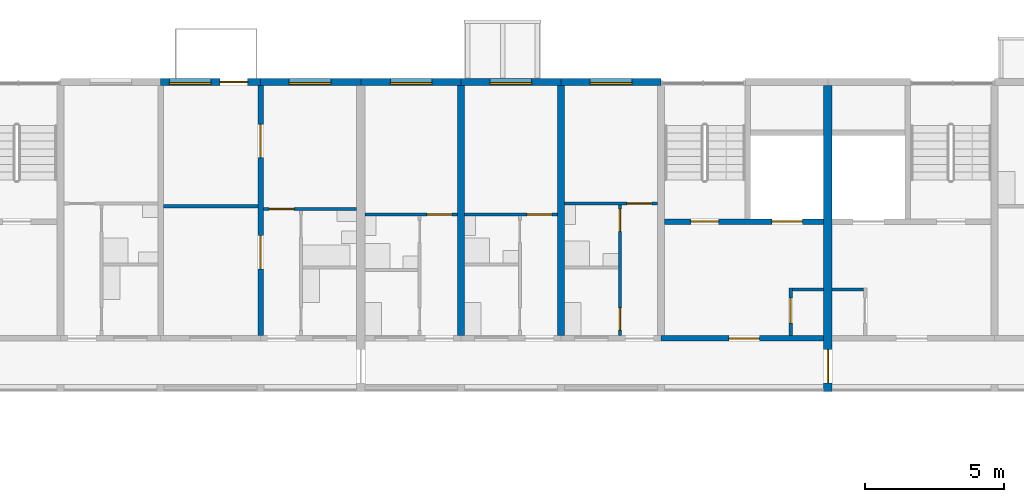
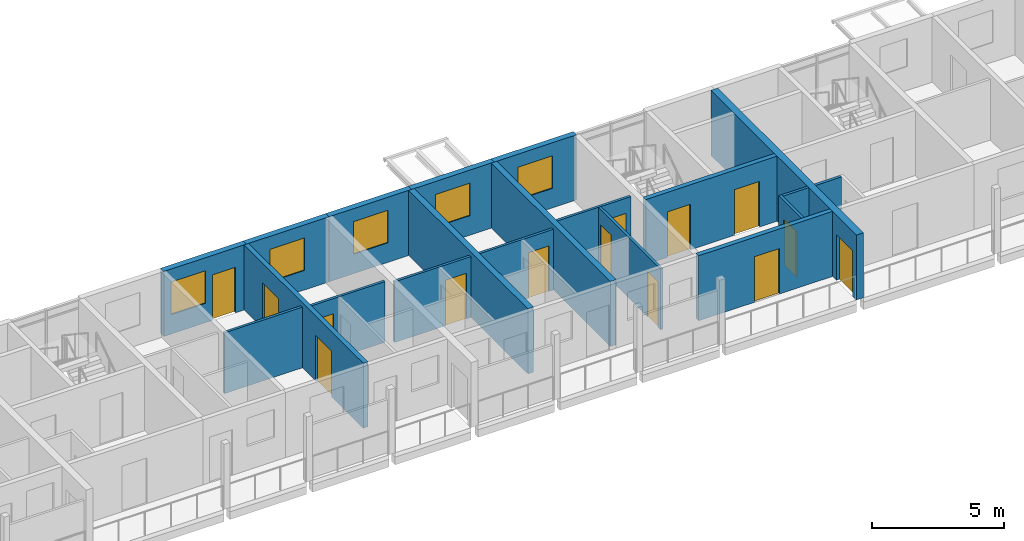
# One storey, part 71 of 115: 20 walls, 14 doors, 5 windows, 19 openings.
"""IFC4 building model written with IfcOpenShell, lengths in metres."""

from ifc_helpers import new_model, si_unit, direction, frame, frame_2d, origin, place, context, subcontext, project, spatial, rectangle, extrude, material, layer, layer_set, type_object, element, fill, save


model = new_model("IFC4")

# Units and contexts
model_context = context("Model", 3, precision=1e-05, world=origin(), true_north=direction((0.0, 1.0)))
body_context = subcontext(model_context, "Body", "Model", "MODEL_VIEW")
ifc_project = project(units=[si_unit("LENGTHUNIT", "METRE"), si_unit("AREAUNIT", "SQUARE_METRE"), si_unit("VOLUMEUNIT", "CUBIC_METRE"), si_unit("PLANEANGLEUNIT", "RADIAN"), si_unit("MASSUNIT", "GRAM", prefix="KILO")], contexts=[model_context])

# Site, building, storey
site_placement = place(None, origin())
site = spatial("IfcSite", under=ifc_project, at=site_placement, CompositionType="ELEMENT")
building_placement = place(site_placement, origin())
building = spatial("IfcBuilding", under=site, at=building_placement, Name="Ridgestep Commons", CompositionType="ELEMENT")
storey_placement = place(building_placement, frame((0.0, 0.0, 6.0)))
storey = spatial("IfcBuildingStorey", under=building, at=storey_placement, Name="L02", CompositionType="ELEMENT", Elevation=6.0)

# Wall, opening, door
ifc_material_1 = material(Name="Concrete C30/37", Category="concrete")
ifc_layer_1 = layer(ifc_material_1, 0.199951171875)
ifc_layer_set_1 = layer_set([ifc_layer_1], Name="Core south wall 200")
wall_type_1 = type_object("IfcWallType", Name="Core south wall 200", PredefinedType="SHEAR", material=ifc_layer_set_1)
wall_1_placement = place(storey_placement, frame((224.800048828125, 67.89990234375, 0.0), z_axis=(0.0, 0.0, 1.0), x_axis=(1.0, 0.0, 0.0)))
wall_1 = element("IfcWall", 1, at=wall_1_placement, inside=storey, type_object=wall_type_1, Name="Core south wall C5C L02", PredefinedType="SHEAR", context=body_context, shape_type="SweptSolid", body=[
    extrude(rectangle(XDim=5.849853515625, YDim=0.199951171875, at=frame_2d((2.9248046875, 0.0))), origin(), (0.0, 0.0, 1.0), 3.0),
])
opening_1_placement = place(wall_1_placement, frame((2.4375, 0.0, 0.0)))
opening_1 = element("IfcOpeningElement", 2, at=opening_1_placement, cuts=wall_1, Name="Opening C5C/02/1", PredefinedType="OPENING", context=body_context, shape_type="SweptSolid", body=[
    extrude(rectangle(XDim=1.10009765625, YDim=2.10009765625, at=frame_2d((0.550048828125, 1.050048828125))), frame((0.0, 0.10986328125, 0.0), z_axis=(0.0, -1.0, 0.0), x_axis=(1.0, 0.0, 0.0)), (0.0, 0.0, 1.0), 0.219970703125),
])
ifc_material_2 = material(Name="Steel fire door", Category="steel")
door_type_1 = type_object("IfcDoorType", Name="Lobby door 1100 x 2100 FD60", OperationType="NOTDEFINED", PredefinedType="DOOR", material=ifc_material_2)
door_1_placement = place(opening_1_placement, origin())
door_1 = element("IfcDoor", 3, at=door_1_placement, inside=storey, type_object=door_type_1, Name="Lobby door C5C/02/1", OperationType="SINGLE_SWING_LEFT", OverallHeight=2.10009765625, OverallWidth=1.10009765625, PredefinedType="DOOR", context=body_context, shape_type="SweptSolid", body=[
    extrude(rectangle(XDim=1.10009765625, YDim=2.10009765625, at=frame_2d((0.550048828125, 1.050048828125))), frame((0.0, 0.02490234375, 0.0), z_axis=(0.0, -1.0, 0.0), x_axis=(1.0, 0.0, 0.0)), (0.0, 0.0, 1.0), 0.050048828125),
])
fill(opening_1, door_1)

ifc_material_3 = material(Name="Concrete C30/37", Category="concrete")
ifc_layer_2 = layer(ifc_material_3, 0.1201171875)
ifc_layer_set_2 = layer_set([ifc_layer_2], Name="Core wall 120")
wall_type_2 = type_object("IfcWallType", Name="Core wall 120", PredefinedType="SHEAR", material=ifc_layer_set_2)
wall_2_placement = place(storey_placement, frame((229.4599609375, 68.0, 0.0), z_axis=(0.0, 0.0, 1.0), x_axis=(0.0, 1.0, 0.0)))
wall_2 = element("IfcWall", 4, at=wall_2_placement, inside=storey, type_object=wall_type_2, Name="Core riser w wall C5C L02", PredefinedType="SHEAR", context=body_context, shape_type="SweptSolid", body=[
    extrude(rectangle(XDim=1.719970703125, YDim=0.1201171875, at=frame_2d((0.85986328125, 0.0))), origin(), (0.0, 0.0, 1.0), 3.0),
])
opening_2_placement = place(wall_2_placement, frame((0.449951171875, 0.0, 0.0)))
opening_2 = element("IfcOpeningElement", 5, at=opening_2_placement, cuts=wall_2, Name="Opening C5C/02/4", PredefinedType="OPENING", context=body_context, shape_type="SweptSolid", body=[
    extrude(rectangle(XDim=0.89990234375, YDim=2.10009765625, at=frame_2d((0.449951171875, 1.050048828125))), frame((0.0, 0.070068359375, 0.0), z_axis=(0.0, -1.0, 0.0), x_axis=(1.0, 0.0, 0.0)), (0.0, 0.0, 1.0), 0.14013671875),
])
ifc_material_4 = material(Name="Steel fire door", Category="steel")
door_type_2 = type_object("IfcDoorType", Name="Riser door 900 x 2100 FD60", OperationType="NOTDEFINED", PredefinedType="DOOR", material=ifc_material_4)
door_2_placement = place(opening_2_placement, origin())
door_2 = element("IfcDoor", 6, at=door_2_placement, inside=storey, type_object=door_type_2, Name="Riser door C5C/02/4", OperationType="SINGLE_SWING_LEFT", OverallHeight=2.10009765625, OverallWidth=0.89990234375, PredefinedType="DOOR", context=body_context, shape_type="SweptSolid", body=[
    extrude(rectangle(XDim=0.89990234375, YDim=2.10009765625, at=frame_2d((0.449951171875, 1.050048828125))), frame((0.0, 0.02490234375, 0.0), z_axis=(0.0, -1.0, 0.0), x_axis=(1.0, 0.0, 0.0)), (0.0, 0.0, 1.0), 0.050048828125),
])
fill(opening_2, door_2)

# Walls
wall_3_placement = place(storey_placement, frame((229.52001953125, 69.659912109375, 0.0), z_axis=(0.0, 0.0, 1.0), x_axis=(1.0, 0.0, 0.0)))
element("IfcWall", 7, at=wall_3_placement, inside=storey, type_object=wall_type_2, Name="Core riser n wall C5C L02", PredefinedType="SHEAR", context=body_context, shape_type="SweptSolid", body=[
    extrude(rectangle(XDim=1.1298828125, YDim=0.1201171875, at=frame_2d((0.56494140625, 0.0))), origin(), (0.0, 0.0, 1.0), 3.0),
])
wall_4_placement = place(storey_placement, frame((230.949951171875, 69.659912109375, 0.0), z_axis=(0.0, 0.0, 1.0), x_axis=(1.0, 0.0, 0.0)))
element("IfcWall", 8, at=wall_4_placement, inside=storey, type_object=wall_type_2, Name="Core riser n wall C6C L02", PredefinedType="SHEAR", context=body_context, shape_type="SweptSolid", body=[
    extrude(rectangle(XDim=1.130126953125, YDim=0.1201171875, at=frame_2d((0.56494140625, 0.0))), origin(), (0.0, 0.0, 1.0), 3.0),
])

# Wall, openings, doors
ifc_material_5 = material(Name="Concrete C30/37", Category="concrete")
ifc_layer_3 = layer(ifc_material_5, 0.199951171875)
ifc_layer_set_3 = layer_set([ifc_layer_3], Name="Core wall 200")
wall_type_3 = type_object("IfcWallType", Name="Core wall 200", PredefinedType="SHEAR", material=ifc_layer_set_3)
wall_5_placement = place(storey_placement, frame((224.925048828125, 72.10009765625, 0.0), z_axis=(0.0, 0.0, 1.0), x_axis=(1.0, 0.0, 0.0)))
wall_5 = element("IfcWall", 9, at=wall_5_placement, inside=storey, type_object=wall_type_3, Name="Core lobby wall C5C L02", PredefinedType="SHEAR", context=body_context, shape_type="SweptSolid", body=[
    extrude(rectangle(XDim=5.724853515625, YDim=0.199951171875, at=frame_2d((2.8623046875, 0.0))), origin(), (0.0, 0.0, 1.0), 3.0),
])
opening_3_placement = place(wall_5_placement, frame((0.949951171875, 0.0, 0.0)))
opening_3 = element("IfcOpeningElement", 10, at=opening_3_placement, cuts=wall_5, Name="Opening C5C/02/2", PredefinedType="OPENING", context=body_context, shape_type="SweptSolid", body=[
    extrude(rectangle(XDim=1.0, YDim=2.10009765625, at=frame_2d((0.5, 1.050048828125))), frame((0.0, 0.10986328125, 0.0), z_axis=(0.0, -1.0, 0.0), x_axis=(1.0, 0.0, 0.0)), (0.0, 0.0, 1.0), 0.219970703125),
])
opening_4_placement = place(wall_5_placement, frame((3.862548828125, 0.0, 0.0)))
opening_4 = element("IfcOpeningElement", 11, at=opening_4_placement, cuts=wall_5, Name="Opening C5C/02/3", PredefinedType="OPENING", context=body_context, shape_type="SweptSolid", body=[
    extrude(rectangle(XDim=1.10009765625, YDim=2.10009765625, at=frame_2d((0.550048828125, 1.050048828125))), frame((0.0, 0.10986328125, 0.0), z_axis=(0.0, -1.0, 0.0), x_axis=(1.0, 0.0, 0.0)), (0.0, 0.0, 1.0), 0.219970703125),
])
ifc_material_6 = material(Name="Stainless steel", Category="steel")
door_type_3 = type_object("IfcDoorType", Name="Lift landing door 1100 x 2100 FD60", OperationType="DOUBLE_DOOR_SLIDING", PredefinedType="DOOR", material=ifc_material_6)
door_3_placement = place(opening_4_placement, origin())
door_3 = element("IfcDoor", 12, at=door_3_placement, inside=storey, type_object=door_type_3, Name="Landing door LD C5C L02", OperationType="DOUBLE_DOOR_SLIDING", OverallHeight=2.10009765625, OverallWidth=1.10009765625, PredefinedType="DOOR", context=body_context, shape_type="SweptSolid", body=[
    extrude(rectangle(XDim=1.10009765625, YDim=2.10009765625, at=frame_2d((0.550048828125, 1.050048828125))), frame((0.0, 0.02490234375, 0.0), z_axis=(0.0, -1.0, 0.0), x_axis=(1.0, 0.0, 0.0)), (0.0, 0.0, 1.0), 0.050048828125),
])
fill(opening_4, door_3)
ifc_material_7 = material(Name="Steel fire door", Category="steel")
door_type_4 = type_object("IfcDoorType", Name="Stair door 1000 x 2100 FD60", OperationType="NOTDEFINED", PredefinedType="DOOR", material=ifc_material_7)
door_4_placement = place(opening_3_placement, origin())
door_4 = element("IfcDoor", 13, at=door_4_placement, inside=storey, type_object=door_type_4, Name="Stair door C5C/02/2", OperationType="SINGLE_SWING_RIGHT", OverallHeight=2.10009765625, OverallWidth=1.0, PredefinedType="DOOR", context=body_context, shape_type="SweptSolid", body=[
    extrude(rectangle(XDim=1.0, YDim=2.10009765625, at=frame_2d((0.5, 1.050048828125))), frame((0.0, 0.02490234375, 0.0), z_axis=(0.0, -1.0, 0.0), x_axis=(1.0, 0.0, 0.0)), (0.0, 0.0, 1.0), 0.050048828125),
])
fill(opening_3, door_4)

ifc_material_8 = material(Name="Precast concrete C40/50", Category="concrete")
ifc_layer_4 = layer(ifc_material_8, 0.199951171875)
ifc_layer_set_4 = layer_set([ifc_layer_4], Name="Cross wall 200")
wall_type_4 = type_object("IfcWallType", Name="Cross wall 200", PredefinedType="SHEAR", material=ifc_layer_set_4)
wall_6_placement = place(storey_placement, frame((210.39990234375, 68.0, 0.0), z_axis=(0.0, 0.0, 1.0), x_axis=(0.0, 1.0, 0.0)))
wall_6 = element("IfcWall", 14, at=wall_6_placement, inside=storey, type_object=wall_type_4, Name="Cross wall C-02-2104", PredefinedType="SHEAR", context=body_context, shape_type="SweptSolid", body=[
    extrude(rectangle(XDim=9.0, YDim=0.199951171875, at=frame_2d((4.5, 0.0))), origin(), (0.0, 0.0, 1.0), 3.0),
])
opening_5_placement = place(wall_6_placement, frame((2.39990234375, 0.0, 0.0)))
opening_5 = element("IfcOpeningElement", 15, at=opening_5_placement, cuts=wall_6, Name="Opening C4-02a/5", PredefinedType="OPENING", context=body_context, shape_type="SweptSolid", body=[
    extrude(rectangle(XDim=1.199951171875, YDim=2.10009765625, at=frame_2d((0.60009765625, 1.050048828125))), frame((0.0, 0.10986328125, 0.0), z_axis=(0.0, -1.0, 0.0), x_axis=(1.0, 0.0, 0.0)), (0.0, 0.0, 1.0), 0.219970703125),
])
opening_6_placement = place(wall_6_placement, frame((6.39990234375, 0.0, 0.0)))
opening_6 = element("IfcOpeningElement", 16, at=opening_6_placement, cuts=wall_6, Name="Opening C4-02a/6", PredefinedType="OPENING", context=body_context, shape_type="SweptSolid", body=[
    extrude(rectangle(XDim=1.199951171875, YDim=2.10009765625, at=frame_2d((0.60009765625, 1.050048828125))), frame((0.0, 0.10986328125, 0.0), z_axis=(0.0, -1.0, 0.0), x_axis=(1.0, 0.0, 0.0)), (0.0, 0.0, 1.0), 0.219970703125),
])
ifc_material_9 = material(Name="Timber door leaf", Category="wood")
door_type_5 = type_object("IfcDoorType", Name="Double door 1200 x 2100", OperationType="DOUBLE_DOOR_SINGLE_SWING", PredefinedType="DOOR", material=ifc_material_9)
door_5_placement = place(opening_5_placement, origin())
door_5 = element("IfcDoor", 17, at=door_5_placement, inside=storey, type_object=door_type_5, Name="Double door C4-02a/5", OperationType="DOUBLE_DOOR_SINGLE_SWING", OverallHeight=2.10009765625, OverallWidth=1.199951171875, PredefinedType="DOOR", context=body_context, shape_type="SweptSolid", body=[
    extrude(rectangle(XDim=1.199951171875, YDim=2.10009765625, at=frame_2d((0.60009765625, 1.050048828125))), frame((0.0, 0.02490234375, 0.0), z_axis=(0.0, -1.0, 0.0), x_axis=(1.0, 0.0, 0.0)), (0.0, 0.0, 1.0), 0.050048828125),
])
fill(opening_5, door_5)
door_6_placement = place(opening_6_placement, origin())
door_6 = element("IfcDoor", 18, at=door_6_placement, inside=storey, type_object=door_type_5, Name="Double door C4-02a/6", OperationType="DOUBLE_DOOR_SINGLE_SWING", OverallHeight=2.10009765625, OverallWidth=1.199951171875, PredefinedType="DOOR", context=body_context, shape_type="SweptSolid", body=[
    extrude(rectangle(XDim=1.199951171875, YDim=2.10009765625, at=frame_2d((0.60009765625, 1.050048828125))), frame((0.0, 0.02490234375, 0.0), z_axis=(0.0, -1.0, 0.0), x_axis=(1.0, 0.0, 0.0)), (0.0, 0.0, 1.0), 0.050048828125),
])
fill(opening_6, door_6)

# Walls
ifc_material_10 = material(Name="Precast concrete C40/50", Category="concrete")
ifc_layer_5 = layer(ifc_material_10, 0.25)
ifc_layer_set_5 = layer_set([ifc_layer_5], Name="Cross wall 250")
wall_type_5 = type_object("IfcWallType", Name="Cross wall 250", PredefinedType="SHEAR", material=ifc_layer_set_5)
for number, where, z_axis, x_axis, name in (
    (19, (217.60009765625, 68.0, 0.0), (0.0, 0.0, 1.0), (0.0, 1.0, 0.0), "Cross wall C-02-2176"),
    (20, (221.199951171875, 68.0, 0.0), (0.0, 0.0, 1.0), (0.0, 1.0, 0.0), "Cross wall C-02-2212"),
):
    element("IfcWall", number, at=place(storey_placement, frame(where, z_axis=z_axis, x_axis=x_axis)), inside=storey, type_object=wall_type_5, Name=name, PredefinedType="SHEAR", context=body_context, shape_type="SweptSolid", body=[
        extrude(rectangle(XDim=9.0, YDim=0.25, at=frame_2d((4.5, 0.0))), origin(), (0.0, 0.0, 1.0), 3.0),
    ])

# Wall, opening, door
ifc_material_11 = material(Name="Precast concrete C40/50", Category="concrete")
ifc_layer_6 = layer(ifc_material_11, 0.300048828125)
ifc_layer_set_6 = layer_set([ifc_layer_6], Name="Division wall 300")
wall_type_6 = type_object("IfcWallType", Name="Division wall 300", PredefinedType="SHEAR", material=ifc_layer_set_6)
wall_7_placement = place(storey_placement, frame((230.800048828125, 66.0, 0.0), z_axis=(0.0, 0.0, 1.0), x_axis=(0.0, 1.0, 0.0)))
wall_7 = element("IfcWall", 21, at=wall_7_placement, inside=storey, type_object=wall_type_6, Name="Cross wall C-02-2308", PredefinedType="SHEAR", context=body_context, shape_type="SweptSolid", body=[
    extrude(rectangle(XDim=11.0, YDim=0.300048828125, at=frame_2d((5.5, 0.0))), origin(), (0.0, 0.0, 1.0), 3.0),
])
opening_7_placement = place(wall_7_placement, frame((0.300048828125, 0.0, 0.0)))
opening_7 = element("IfcOpeningElement", 22, at=opening_7_placement, cuts=wall_7, Name="Opening C/02/G2308", PredefinedType="OPENING", context=body_context, shape_type="SweptSolid", body=[
    extrude(rectangle(XDim=1.199951171875, YDim=2.10009765625, at=frame_2d((0.60009765625, 1.050048828125))), frame((0.0, 0.159912109375, 0.0), z_axis=(0.0, -1.0, 0.0), x_axis=(1.0, 0.0, 0.0)), (0.0, 0.0, 1.0), 0.320068359375),
])
ifc_material_12 = material(Name="Steel fire door", Category="steel")
door_type_6 = type_object("IfcDoorType", Name="Division fire door 1200 x 2100 EI 240", OperationType="DOUBLE_DOOR_SINGLE_SWING", PredefinedType="DOOR", material=ifc_material_12)
door_7_placement = place(opening_7_placement, origin())
door_7 = element("IfcDoor", 23, at=door_7_placement, inside=storey, type_object=door_type_6, Name="Division fire door C/02/G2308", OperationType="DOUBLE_DOOR_SINGLE_SWING", OverallHeight=2.10009765625, OverallWidth=1.199951171875, PredefinedType="DOOR", context=body_context, shape_type="SweptSolid", body=[
    extrude(rectangle(XDim=1.199951171875, YDim=2.10009765625, at=frame_2d((0.60009765625, 1.050048828125))), frame((0.0, 0.02490234375, 0.0), z_axis=(0.0, -1.0, 0.0), x_axis=(1.0, 0.0, 0.0)), (0.0, 0.0, 1.0), 0.050048828125),
])
fill(opening_7, door_7)

# Wall, openings, door, window
ifc_material_13 = material(Name="Precast concrete C40/50", Category="concrete")
ifc_layer_7 = layer(ifc_material_13, 0.25)
ifc_layer_set_7 = layer_set([ifc_layer_7], Name="North facade panel 250")
wall_type_7 = type_object("IfcWallType", Name="North facade panel 250", PredefinedType="SOLIDWALL", material=ifc_layer_set_7)
wall_8_placement = place(storey_placement, frame((206.800048828125, 77.125, 0.0), z_axis=(0.0, 0.0, 1.0), x_axis=(1.0, 0.0, 0.0)))
wall_8 = element("IfcWall", 24, at=wall_8_placement, inside=storey, type_object=wall_type_7, Name="North panel C4T2 L02", PredefinedType="SOLIDWALL", context=body_context, shape_type="SweptSolid", body=[
    extrude(rectangle(XDim=3.599853515625, YDim=0.25, at=frame_2d((1.7998046875, 0.0))), origin(), (0.0, 0.0, 1.0), 3.0),
])
opening_8_placement = place(wall_8_placement, frame((0.314453125, 0.0, 0.89990234375)))
opening_8 = element("IfcOpeningElement", 25, at=opening_8_placement, cuts=wall_8, Name="Opening W16", PredefinedType="OPENING", context=body_context, shape_type="SweptSolid", body=[
    extrude(rectangle(XDim=1.5, YDim=1.5, at=frame_2d((0.75, 0.75))), frame((0.0, 0.135009765625, 0.0), z_axis=(0.0, -1.0, 0.0), x_axis=(1.0, 0.0, 0.0)), (0.0, 0.0, 1.0), 0.27001953125),
])
opening_9_placement = place(wall_8_placement, frame((2.12890625, 0.0, 0.0)))
opening_9 = element("IfcOpeningElement", 26, at=opening_9_placement, cuts=wall_8, Name="Opening C4-02a/7", PredefinedType="OPENING", context=body_context, shape_type="SweptSolid", body=[
    extrude(rectangle(XDim=1.0, YDim=2.10009765625, at=frame_2d((0.5, 1.050048828125))), frame((0.0, 0.135009765625, 0.0), z_axis=(0.0, -1.0, 0.0), x_axis=(1.0, 0.0, 0.0)), (0.0, 0.0, 1.0), 0.27001953125),
])
ifc_material_14 = material(Name="Aluminium and glass", Category="aluminium")
door_type_7 = type_object("IfcDoorType", Name="Balcony door 1000 x 2100", OperationType="NOTDEFINED", PredefinedType="DOOR", material=ifc_material_14)
door_8_placement = place(opening_9_placement, origin())
door_8 = element("IfcDoor", 27, at=door_8_placement, inside=storey, type_object=door_type_7, Name="Balcony door C4-02a/7", OperationType="SINGLE_SWING_LEFT", OverallHeight=2.10009765625, OverallWidth=1.0, PredefinedType="DOOR", context=body_context, shape_type="SweptSolid", body=[
    extrude(rectangle(XDim=1.0, YDim=2.10009765625, at=frame_2d((0.5, 1.050048828125))), frame((0.0, 0.02490234375, 0.0), z_axis=(0.0, -1.0, 0.0), x_axis=(1.0, 0.0, 0.0)), (0.0, 0.0, 1.0), 0.050048828125),
])
fill(opening_9, door_8)
ifc_material_15 = material(Name="Aluminium 6063-T6 and glass", Category="aluminium")
window_type = type_object("IfcWindowType", Name="Flat window 1500 x 1500", PartitioningType="DOUBLE_PANEL_VERTICAL", PredefinedType="WINDOW", material=ifc_material_15)
window_1_placement = place(opening_8_placement, origin())
window_1 = element("IfcWindow", 28, at=window_1_placement, inside=storey, type_object=window_type, Name="Window C4-02a 2", OverallHeight=1.5, OverallWidth=1.5, PartitioningType="SINGLE_PANEL", PredefinedType="WINDOW", context=body_context, shape_type="SweptSolid", body=[
    extrude(rectangle(XDim=1.5, YDim=1.5, at=frame_2d((0.75, 0.75))), frame((0.0, -0.02490234375, 0.0), z_axis=(0.0, -1.0, 0.0), x_axis=(1.0, 0.0, 0.0)), (0.0, 0.0, 1.0), 0.06005859375),
])
fill(opening_8, window_1)

# Wall, opening, window
wall_9_placement = place(storey_placement, frame((210.39990234375, 77.125, 0.0), z_axis=(0.0, 0.0, 1.0), x_axis=(1.0, 0.0, 0.0)))
wall_9 = element("IfcWall", 29, at=wall_9_placement, inside=storey, type_object=wall_type_7, Name="North panel C4T1 L02", PredefinedType="SOLIDWALL", context=body_context, shape_type="SweptSolid", body=[
    extrude(rectangle(XDim=3.60009765625, YDim=0.25, at=frame_2d((1.800048828125, 0.0))), origin(), (0.0, 0.0, 1.0), 3.0),
])
opening_10_placement = place(wall_9_placement, frame((1.02490234375, 0.0, 0.89990234375)))
opening_10 = element("IfcOpeningElement", 30, at=opening_10_placement, cuts=wall_9, Name="Opening W16", PredefinedType="OPENING", context=body_context, shape_type="SweptSolid", body=[
    extrude(rectangle(XDim=1.5, YDim=1.5, at=frame_2d((0.75, 0.75))), frame((0.0, 0.135009765625, 0.0), z_axis=(0.0, -1.0, 0.0), x_axis=(1.0, 0.0, 0.0)), (0.0, 0.0, 1.0), 0.27001953125),
])
window_2_placement = place(opening_10_placement, origin())
window_2 = element("IfcWindow", 31, at=window_2_placement, inside=storey, type_object=window_type, Name="Window C4-02a 4", OverallHeight=1.5, OverallWidth=1.5, PartitioningType="SINGLE_PANEL", PredefinedType="WINDOW", context=body_context, shape_type="SweptSolid", body=[
    extrude(rectangle(XDim=1.5, YDim=1.5, at=frame_2d((0.75, 0.75))), frame((0.0, -0.02490234375, 0.0), z_axis=(0.0, -1.0, 0.0), x_axis=(1.0, 0.0, 0.0)), (0.0, 0.0, 1.0), 0.06005859375),
])
fill(opening_10, window_2)

wall_10_placement = place(storey_placement, frame((214.0, 77.125, 0.0), z_axis=(0.0, 0.0, 1.0), x_axis=(1.0, 0.0, 0.0)))
wall_10 = element("IfcWall", 32, at=wall_10_placement, inside=storey, type_object=wall_type_7, Name="North panel C5T1 L02", PredefinedType="SOLIDWALL", context=body_context, shape_type="SweptSolid", body=[
    extrude(rectangle(XDim=3.60009765625, YDim=0.25, at=frame_2d((1.800048828125, 0.0))), origin(), (0.0, 0.0, 1.0), 3.0),
])
opening_11_placement = place(wall_10_placement, frame((1.0625, 0.0, 0.89990234375)))
opening_11 = element("IfcOpeningElement", 33, at=opening_11_placement, cuts=wall_10, Name="Opening W16", PredefinedType="OPENING", context=body_context, shape_type="SweptSolid", body=[
    extrude(rectangle(XDim=1.5, YDim=1.5, at=frame_2d((0.75, 0.75))), frame((0.0, 0.135009765625, 0.0), z_axis=(0.0, -1.0, 0.0), x_axis=(1.0, 0.0, 0.0)), (0.0, 0.0, 1.0), 0.27001953125),
])
window_3_placement = place(opening_11_placement, origin())
window_3 = element("IfcWindow", 34, at=window_3_placement, inside=storey, type_object=window_type, Name="Window C5-02a 2", OverallHeight=1.5, OverallWidth=1.5, PartitioningType="SINGLE_PANEL", PredefinedType="WINDOW", context=body_context, shape_type="SweptSolid", body=[
    extrude(rectangle(XDim=1.5, YDim=1.5, at=frame_2d((0.75, 0.75))), frame((0.0, -0.02490234375, 0.0), z_axis=(0.0, -1.0, 0.0), x_axis=(1.0, 0.0, 0.0)), (0.0, 0.0, 1.0), 0.06005859375),
])
fill(opening_11, window_3)

wall_11_placement = place(storey_placement, frame((217.60009765625, 77.125, 0.0), z_axis=(0.0, 0.0, 1.0), x_axis=(1.0, 0.0, 0.0)))
wall_11 = element("IfcWall", 35, at=wall_11_placement, inside=storey, type_object=wall_type_7, Name="North panel C5T2 L02", PredefinedType="SOLIDWALL", context=body_context, shape_type="SweptSolid", body=[
    extrude(rectangle(XDim=3.599853515625, YDim=0.25, at=frame_2d((1.7998046875, 0.0))), origin(), (0.0, 0.0, 1.0), 3.0),
])
opening_12_placement = place(wall_11_placement, frame((1.050048828125, 0.0, 0.89990234375)))
opening_12 = element("IfcOpeningElement", 36, at=opening_12_placement, cuts=wall_11, Name="Opening W16", PredefinedType="OPENING", context=body_context, shape_type="SweptSolid", body=[
    extrude(rectangle(XDim=1.5, YDim=1.5, at=frame_2d((0.75, 0.75))), frame((0.0, 0.135009765625, 0.0), z_axis=(0.0, -1.0, 0.0), x_axis=(1.0, 0.0, 0.0)), (0.0, 0.0, 1.0), 0.27001953125),
])
window_4_placement = place(opening_12_placement, origin())
window_4 = element("IfcWindow", 37, at=window_4_placement, inside=storey, type_object=window_type, Name="Window C5-02b 2", OverallHeight=1.5, OverallWidth=1.5, PartitioningType="SINGLE_PANEL", PredefinedType="WINDOW", context=body_context, shape_type="SweptSolid", body=[
    extrude(rectangle(XDim=1.5, YDim=1.5, at=frame_2d((0.75, 0.75))), frame((0.0, -0.02490234375, 0.0), z_axis=(0.0, -1.0, 0.0), x_axis=(1.0, 0.0, 0.0)), (0.0, 0.0, 1.0), 0.06005859375),
])
fill(opening_12, window_4)

wall_12_placement = place(storey_placement, frame((221.199951171875, 77.125, 0.0), z_axis=(0.0, 0.0, 1.0), x_axis=(1.0, 0.0, 0.0)))
wall_12 = element("IfcWall", 38, at=wall_12_placement, inside=storey, type_object=wall_type_7, Name="North panel C5T3 L02", PredefinedType="SOLIDWALL", context=body_context, shape_type="SweptSolid", body=[
    extrude(rectangle(XDim=3.60009765625, YDim=0.25, at=frame_2d((1.800048828125, 0.0))), origin(), (0.0, 0.0, 1.0), 3.0),
])
opening_13_placement = place(wall_12_placement, frame((1.050048828125, 0.0, 0.89990234375)))
opening_13 = element("IfcOpeningElement", 39, at=opening_13_placement, cuts=wall_12, Name="Opening W16", PredefinedType="OPENING", context=body_context, shape_type="SweptSolid", body=[
    extrude(rectangle(XDim=1.5, YDim=1.5, at=frame_2d((0.75, 0.75))), frame((0.0, 0.135009765625, 0.0), z_axis=(0.0, -1.0, 0.0), x_axis=(1.0, 0.0, 0.0)), (0.0, 0.0, 1.0), 0.27001953125),
])
window_5_placement = place(opening_13_placement, origin())
window_5 = element("IfcWindow", 40, at=window_5_placement, inside=storey, type_object=window_type, Name="Window C5-02c 2", OverallHeight=1.5, OverallWidth=1.5, PartitioningType="SINGLE_PANEL", PredefinedType="WINDOW", context=body_context, shape_type="SweptSolid", body=[
    extrude(rectangle(XDim=1.5, YDim=1.5, at=frame_2d((0.75, 0.75))), frame((0.0, -0.02490234375, 0.0), z_axis=(0.0, -1.0, 0.0), x_axis=(1.0, 0.0, 0.0)), (0.0, 0.0, 1.0), 0.06005859375),
])
fill(opening_13, window_5)

# Wall, opening, door
ifc_material_16 = material(Name="Common brick 110 mm", Category="masonry")
ifc_layer_8 = layer(ifc_material_16, 0.110107421875)
ifc_layer_set_8 = layer_set([ifc_layer_8], Name="Partition 110")
wall_type_8 = type_object("IfcWallType", Name="Partition 110", PredefinedType="PARTITIONING", material=ifc_layer_set_8)
wall_13_placement = place(storey_placement, frame((210.5, 72.554931640625, 0.0), z_axis=(0.0, 0.0, 1.0), x_axis=(1.0, 0.0, 0.0)))
wall_13 = element("IfcWall", 41, at=wall_13_placement, inside=storey, type_object=wall_type_8, Name="Partition C4-02a", PredefinedType="PARTITIONING", context=body_context, shape_type="SweptSolid", body=[
    extrude(rectangle(XDim=3.35009765625, YDim=0.110107421875, at=frame_2d((1.675048828125, 0.0))), origin(), (0.0, 0.0, 1.0), 2.800048828125),
])
opening_14_placement = place(wall_13_placement, frame((0.199951171875, 0.0, 0.0)))
opening_14 = element("IfcOpeningElement", 42, at=opening_14_placement, cuts=wall_13, Name="Opening C4-02a/4", PredefinedType="OPENING", context=body_context, shape_type="SweptSolid", body=[
    extrude(rectangle(XDim=0.89990234375, YDim=2.10009765625, at=frame_2d((0.449951171875, 1.050048828125))), frame((0.0, 0.06494140625, 0.0), z_axis=(0.0, -1.0, 0.0), x_axis=(1.0, 0.0, 0.0)), (0.0, 0.0, 1.0), 0.130126953125),
])
ifc_material_17 = material(Name="Timber door leaf", Category="wood")
door_type_8 = type_object("IfcDoorType", Name="Internal door 900 x 2100", OperationType="NOTDEFINED", PredefinedType="DOOR", material=ifc_material_17)
door_9_placement = place(opening_14_placement, origin())
door_9 = element("IfcDoor", 43, at=door_9_placement, inside=storey, type_object=door_type_8, Name="Internal door C4-02a/4", OperationType="SINGLE_SWING_LEFT", OverallHeight=2.10009765625, OverallWidth=0.89990234375, PredefinedType="DOOR", context=body_context, shape_type="SweptSolid", body=[
    extrude(rectangle(XDim=0.89990234375, YDim=2.10009765625, at=frame_2d((0.449951171875, 1.050048828125))), frame((0.0, 0.02490234375, 0.0), z_axis=(0.0, -1.0, 0.0), x_axis=(1.0, 0.0, 0.0)), (0.0, 0.0, 1.0), 0.050048828125),
])
fill(opening_14, door_9)

# Wall
wall_14_placement = place(storey_placement, frame((206.89990234375, 72.655029296875, 0.0), z_axis=(0.0, 0.0, 1.0), x_axis=(1.0, 0.0, 0.0)))
element("IfcWall", 44, at=wall_14_placement, inside=storey, type_object=wall_type_8, Name="Partition C4-02a", PredefinedType="PARTITIONING", context=body_context, shape_type="SweptSolid", body=[
    extrude(rectangle(XDim=3.400146484375, YDim=0.110107421875, at=frame_2d((1.7001953125, 0.0))), origin(), (0.0, 0.0, 1.0), 2.800048828125),
])

# Wall, opening, door
wall_15_placement = place(storey_placement, frame((214.14990234375, 72.35498046875, 0.0), z_axis=(0.0, 0.0, 1.0), x_axis=(1.0, 0.0, 0.0)))
wall_15 = element("IfcWall", 45, at=wall_15_placement, inside=storey, type_object=wall_type_8, Name="Partition C5-02a", PredefinedType="PARTITIONING", context=body_context, shape_type="SweptSolid", body=[
    extrude(rectangle(XDim=3.3251953125, YDim=0.110107421875, at=frame_2d((1.66259765625, 0.0))), origin(), (0.0, 0.0, 1.0), 2.800048828125),
])
opening_15_placement = place(wall_15_placement, frame((2.22509765625, 0.0, 0.0)))
opening_15 = element("IfcOpeningElement", 46, at=opening_15_placement, cuts=wall_15, Name="Opening C5-02a/4", PredefinedType="OPENING", context=body_context, shape_type="SweptSolid", body=[
    extrude(rectangle(XDim=0.89990234375, YDim=2.10009765625, at=frame_2d((0.449951171875, 1.050048828125))), frame((0.0, 0.06494140625, 0.0), z_axis=(0.0, -1.0, 0.0), x_axis=(1.0, 0.0, 0.0)), (0.0, 0.0, 1.0), 0.130126953125),
])
door_10_placement = place(opening_15_placement, origin())
door_10 = element("IfcDoor", 47, at=door_10_placement, inside=storey, type_object=door_type_8, Name="Internal door C5-02a/4", OperationType="SINGLE_SWING_LEFT", OverallHeight=2.10009765625, OverallWidth=0.89990234375, PredefinedType="DOOR", context=body_context, shape_type="SweptSolid", body=[
    extrude(rectangle(XDim=0.89990234375, YDim=2.10009765625, at=frame_2d((0.449951171875, 1.050048828125))), frame((0.0, 0.02490234375, 0.0), z_axis=(0.0, -1.0, 0.0), x_axis=(1.0, 0.0, 0.0)), (0.0, 0.0, 1.0), 0.050048828125),
])
fill(opening_15, door_10)

wall_16_placement = place(storey_placement, frame((217.72509765625, 72.35498046875, 0.0), z_axis=(0.0, 0.0, 1.0), x_axis=(1.0, 0.0, 0.0)))
wall_16 = element("IfcWall", 48, at=wall_16_placement, inside=storey, type_object=wall_type_8, Name="Partition C5-02b", PredefinedType="PARTITIONING", context=body_context, shape_type="SweptSolid", body=[
    extrude(rectangle(XDim=3.349853515625, YDim=0.110107421875, at=frame_2d((1.6748046875, 0.0))), origin(), (0.0, 0.0, 1.0), 2.800048828125),
])
opening_16_placement = place(wall_16_placement, frame((2.25, 0.0, 0.0)))
opening_16 = element("IfcOpeningElement", 49, at=opening_16_placement, cuts=wall_16, Name="Opening C5-02b/4", PredefinedType="OPENING", context=body_context, shape_type="SweptSolid", body=[
    extrude(rectangle(XDim=0.89990234375, YDim=2.10009765625, at=frame_2d((0.449951171875, 1.050048828125))), frame((0.0, 0.06494140625, 0.0), z_axis=(0.0, -1.0, 0.0), x_axis=(1.0, 0.0, 0.0)), (0.0, 0.0, 1.0), 0.130126953125),
])
door_11_placement = place(opening_16_placement, origin())
door_11 = element("IfcDoor", 50, at=door_11_placement, inside=storey, type_object=door_type_8, Name="Internal door C5-02b/4", OperationType="SINGLE_SWING_LEFT", OverallHeight=2.10009765625, OverallWidth=0.89990234375, PredefinedType="DOOR", context=body_context, shape_type="SweptSolid", body=[
    extrude(rectangle(XDim=0.89990234375, YDim=2.10009765625, at=frame_2d((0.449951171875, 1.050048828125))), frame((0.0, 0.02490234375, 0.0), z_axis=(0.0, -1.0, 0.0), x_axis=(1.0, 0.0, 0.0)), (0.0, 0.0, 1.0), 0.050048828125),
])
fill(opening_16, door_11)

# Wall, openings, doors
wall_17_placement = place(storey_placement, frame((223.320068359375, 68.0, 0.0), z_axis=(0.0, 0.0, 1.0), x_axis=(0.0, 1.0, 0.0)))
wall_17 = element("IfcWall", 51, at=wall_17_placement, inside=storey, type_object=wall_type_8, Name="Partition C5-02c", PredefinedType="PARTITIONING", context=body_context, shape_type="SweptSolid", body=[
    extrude(rectangle(XDim=4.699951171875, YDim=0.110107421875, at=frame_2d((2.35009765625, 0.0))), origin(), (0.0, 0.0, 1.0), 2.800048828125),
])
opening_17_placement = place(wall_17_placement, frame((0.199951171875, 0.0, 0.0)))
opening_17 = element("IfcOpeningElement", 52, at=opening_17_placement, cuts=wall_17, Name="Opening C5-02c/2", PredefinedType="OPENING", context=body_context, shape_type="SweptSolid", body=[
    extrude(rectangle(XDim=0.800048828125, YDim=2.10009765625, at=frame_2d((0.39990234375, 1.050048828125))), frame((0.0, 0.06494140625, 0.0), z_axis=(0.0, -1.0, 0.0), x_axis=(1.0, 0.0, 0.0)), (0.0, 0.0, 1.0), 0.130126953125),
])
opening_18_placement = place(wall_17_placement, frame((3.75, 0.0, 0.0)))
opening_18 = element("IfcOpeningElement", 53, at=opening_18_placement, cuts=wall_17, Name="Opening C5-02c/3", PredefinedType="OPENING", context=body_context, shape_type="SweptSolid", body=[
    extrude(rectangle(XDim=0.800048828125, YDim=2.10009765625, at=frame_2d((0.39990234375, 1.050048828125))), frame((0.0, 0.06494140625, 0.0), z_axis=(0.0, -1.0, 0.0), x_axis=(1.0, 0.0, 0.0)), (0.0, 0.0, 1.0), 0.130126953125),
])
ifc_material_18 = material(Name="Timber door leaf", Category="wood")
door_type_9 = type_object("IfcDoorType", Name="Internal door 800 x 2100", OperationType="NOTDEFINED", PredefinedType="DOOR", material=ifc_material_18)
door_12_placement = place(opening_17_placement, origin())
door_12 = element("IfcDoor", 54, at=door_12_placement, inside=storey, type_object=door_type_9, Name="Internal door C5-02c/2", OperationType="SINGLE_SWING_LEFT", OverallHeight=2.10009765625, OverallWidth=0.800048828125, PredefinedType="DOOR", context=body_context, shape_type="SweptSolid", body=[
    extrude(rectangle(XDim=0.800048828125, YDim=2.10009765625, at=frame_2d((0.39990234375, 1.050048828125))), frame((0.0, 0.02490234375, 0.0), z_axis=(0.0, -1.0, 0.0), x_axis=(1.0, 0.0, 0.0)), (0.0, 0.0, 1.0), 0.050048828125),
])
fill(opening_17, door_12)
door_13_placement = place(opening_18_placement, origin())
door_13 = element("IfcDoor", 55, at=door_13_placement, inside=storey, type_object=door_type_9, Name="Internal door C5-02c/3", OperationType="SINGLE_SWING_RIGHT", OverallHeight=2.10009765625, OverallWidth=0.800048828125, PredefinedType="DOOR", context=body_context, shape_type="SweptSolid", body=[
    extrude(rectangle(XDim=0.800048828125, YDim=2.10009765625, at=frame_2d((0.39990234375, 1.050048828125))), frame((0.0, 0.02490234375, 0.0), z_axis=(0.0, -1.0, 0.0), x_axis=(1.0, 0.0, 0.0)), (0.0, 0.0, 1.0), 0.050048828125),
])
fill(opening_18, door_13)

# Wall, opening, door
wall_18_placement = place(storey_placement, frame((221.324951171875, 72.7548828125, 0.0), z_axis=(0.0, 0.0, 1.0), x_axis=(1.0, 0.0, 0.0)))
wall_18 = element("IfcWall", 56, at=wall_18_placement, inside=storey, type_object=wall_type_8, Name="Partition C5-02c", PredefinedType="PARTITIONING", context=body_context, shape_type="SweptSolid", body=[
    extrude(rectangle(XDim=3.35009765625, YDim=0.110107421875, at=frame_2d((1.675048828125, 0.0))), origin(), (0.0, 0.0, 1.0), 2.800048828125),
])
opening_19_placement = place(wall_18_placement, frame((2.25, 0.0, 0.0)))
opening_19 = element("IfcOpeningElement", 57, at=opening_19_placement, cuts=wall_18, Name="Opening C5-02c/4", PredefinedType="OPENING", context=body_context, shape_type="SweptSolid", body=[
    extrude(rectangle(XDim=0.89990234375, YDim=2.10009765625, at=frame_2d((0.449951171875, 1.050048828125))), frame((0.0, 0.06494140625, 0.0), z_axis=(0.0, -1.0, 0.0), x_axis=(1.0, 0.0, 0.0)), (0.0, 0.0, 1.0), 0.130126953125),
])
door_14_placement = place(opening_19_placement, origin())
door_14 = element("IfcDoor", 58, at=door_14_placement, inside=storey, type_object=door_type_8, Name="Internal door C5-02c/4", OperationType="SINGLE_SWING_LEFT", OverallHeight=2.10009765625, OverallWidth=0.89990234375, PredefinedType="DOOR", context=body_context, shape_type="SweptSolid", body=[
    extrude(rectangle(XDim=0.89990234375, YDim=2.10009765625, at=frame_2d((0.449951171875, 1.050048828125))), frame((0.0, 0.02490234375, 0.0), z_axis=(0.0, -1.0, 0.0), x_axis=(1.0, 0.0, 0.0)), (0.0, 0.0, 1.0), 0.050048828125),
])
fill(opening_19, door_14)

save(model, "model.ifc")
